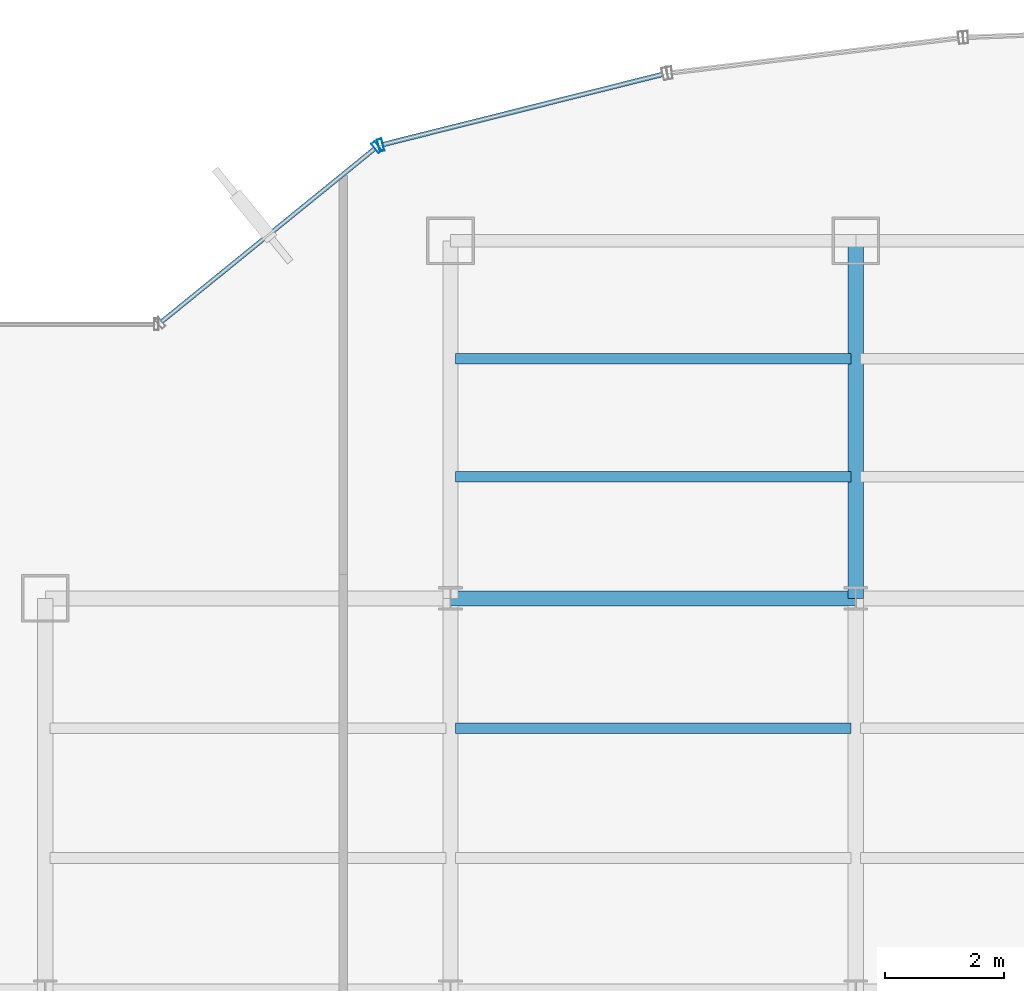
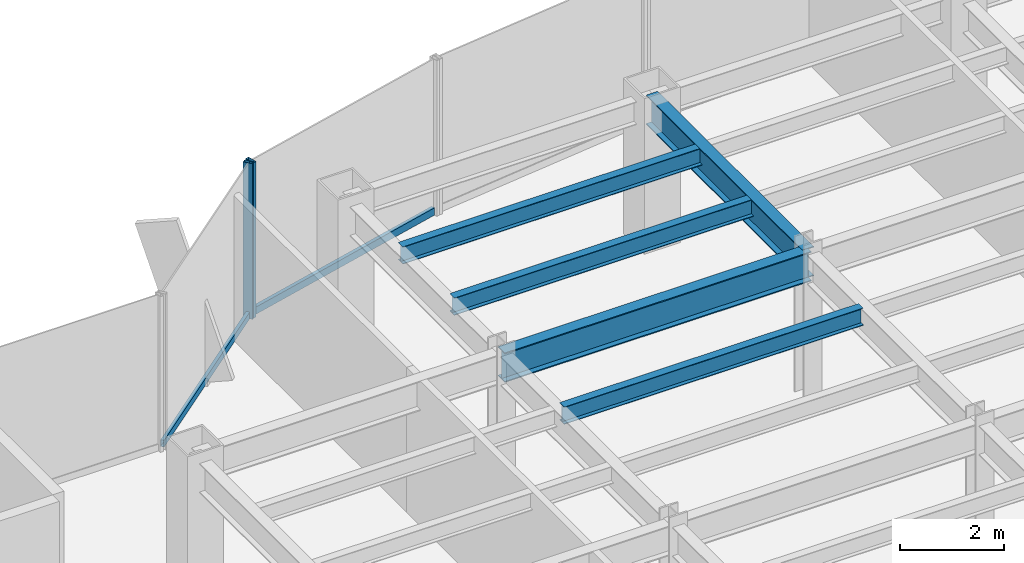
# One storey, part 14 of 26: 5 beams, 4 members, 2 elements without a shape of their own.
"""IFC4 building model written with IfcOpenShell, lengths in metres."""

from ifc_helpers import new_model, si_unit, derived_unit, direction, frame, origin, origin_2d, place, context, subcontext, project, spatial, hollow_rectangle, i_section, extrude, source, transform, mapped, material, material_profile, profile_set, type_object, element, aggregate, save


model = new_model("IFC4")

# Units and contexts
model_context = context("Model", 3, precision=1e-05, world=origin(), true_north=direction((0.0, 1.0)))
body_context = subcontext(model_context, "Body", "Model", "MODEL_VIEW")
ifc_project = project(units=[si_unit("LENGTHUNIT", "METRE"), si_unit("AREAUNIT", "SQUARE_METRE"), si_unit("VOLUMEUNIT", "CUBIC_METRE"), si_unit("PLANEANGLEUNIT", "RADIAN"), si_unit("MASSUNIT", "GRAM", prefix="KILO"), derived_unit("THERMALTRANSMITTANCEUNIT", [(si_unit("POWERUNIT", "WATT"), 1), (si_unit("LENGTHUNIT", "METRE"), -2), (si_unit("THERMODYNAMICTEMPERATUREUNIT", "KELVIN"), -1)])], contexts=[model_context])

# Site, building, storey
site_placement = place(None, origin())
site = spatial("IfcSite", under=ifc_project, at=site_placement, CompositionType="ELEMENT")
building_placement = place(site_placement, origin())
building = spatial("IfcBuilding", under=site, at=building_placement, Name="Skarnbrae Concourse Arena and Tower", CompositionType="ELEMENT")
storey_placement = place(building_placement, frame((0.0, 0.0, 99.60009765625)))
storey = spatial("IfcBuildingStorey", under=building, at=storey_placement, Name="L24", CompositionType="ELEMENT", Elevation=99.60009765625)

# Beams
ifc_material_1 = material(Name="Steel CSA G40.21 350W", Category="steel")
ifc_material_profile_1 = material_profile(ifc_material_1, i_section(OverallWidth=0.256103515625, OverallDepth=0.693115234375, WebThickness=0.014404296875, FlangeThickness=0.023681640625, at=origin_2d()), Name="W690X170")
ifc_profile_set_1 = profile_set([ifc_material_profile_1], Name="Steel CSA G40.21 350W")
beam_type_1 = type_object("IfcBeamType", Name="BM-GIRD-W690X170", PredefinedType="BEAM", material=ifc_profile_set_1)
shared_shape_1 = source(origin(), body_context, "Body", "SweptSolid", [
    extrude(i_section(OverallWidth=0.256103515625, OverallDepth=0.693115234375, WebThickness=0.014404296875, FlangeThickness=0.023681640625, at=origin_2d()), origin(), (0.0, 0.0, 1.0), 6.800048828125),
])
beam_1_placement = place(storey_placement, frame((14.39990234375, 34.39990234375, 3.053466796875), z_axis=(1.0, 0.0, 0.0), x_axis=(0.0, 1.0, 0.0)))
element("IfcBeam", 1, at=beam_1_placement, inside=storey, type_object=beam_type_1, Name="L24 Primary E-W girder Y34.4-2", PredefinedType="BEAM", context=body_context, shape_type="MappedRepresentation", body=[
    mapped(shared_shape_1, transform((0.0, 0.0, 0.0))),
])
shared_shape_2 = source(origin(), body_context, "Body", "SweptSolid", [
    extrude(i_section(OverallWidth=0.256103515625, OverallDepth=0.693115234375, WebThickness=0.014404296875, FlangeThickness=0.023681640625, at=origin_2d()), origin(), (0.0, 0.0, 1.0), 6.0),
])
beam_2_placement = place(storey_placement, frame((21.199951171875, 34.39990234375, 3.053466796875), z_axis=(0.0, 1.0, 0.0), x_axis=(-1.0, 0.0, 0.0)))
element("IfcBeam", 2, at=beam_2_placement, inside=storey, type_object=beam_type_1, Name="L24 Primary N-S girder X21.2-4", PredefinedType="BEAM", context=body_context, shape_type="MappedRepresentation", body=[
    mapped(shared_shape_2, transform((0.0, 0.0, 0.0))),
])
ifc_material_profile_2 = material_profile(ifc_material_1, i_section(OverallWidth=0.177978515625, OverallDepth=0.406982421875, WebThickness=0.0078125, FlangeThickness=0.0126953125, at=origin_2d()), Name="W410X60")
ifc_profile_set_2 = profile_set([ifc_material_profile_2], Name="Steel CSA G40.21 350W")
beam_type_2 = type_object("IfcBeamType", Name="BM-JOIST-W410X60", PredefinedType="JOIST", material=ifc_profile_set_2)
shared_shape_3 = source(origin(), body_context, "Body", "SweptSolid", [
    extrude(i_section(OverallWidth=0.177978515625, OverallDepth=0.406982421875, WebThickness=0.0078125, FlangeThickness=0.0126953125, at=origin_2d()), origin(), (0.0, 0.0, 1.0), 6.64013671875),
])
for number, where, z_axis, x_axis, name in (
    (3, (14.47998046875, 32.221923828125, 3.1962890625), (1.0, 0.0, 0.0), (0.0, 1.0, 0.0), "L24 Secondary floor joist 3.2.2"),
    (4, (14.47998046875, 36.43994140625, 3.1962890625), (1.0, 0.0, 0.0), (0.0, 1.0, 0.0), "L24 Secondary floor joist 4.1.1"),
    (5, (14.47998046875, 38.419921875, 3.1962890625), (1.0, 0.0, 0.0), (0.0, 1.0, 0.0), "L24 Secondary floor joist 4.2.1"),
):
    element("IfcBeam", number, at=place(storey_placement, frame(where, z_axis=z_axis, x_axis=x_axis)), inside=storey, type_object=beam_type_2, Name=name, PredefinedType="JOIST", context=body_context, shape_type="MappedRepresentation", body=[
        mapped(shared_shape_3, transform((0.0, 0.0, 0.0))),
    ])

# Curtain wall, member
ifc_material_2 = material(Name="Bronze anodised aluminium 6063-T6", Category="aluminium")
curtain_wall_type_1 = type_object("IfcCurtainWallType", Name="CW-SYS-03-PORTAL", PredefinedType="USERDEFINED", material=ifc_material_2)
curtain_wall_1_placement = place(storey_placement, origin())
curtain_wall_1 = element("IfcCurtainWall", 6, at=curtain_wall_1_placement, inside=storey, type_object=curtain_wall_type_1, Name="L24 Unitised curtain wall CW-L24-E14", ObjectType="UNITISED CURTAIN WALL", PredefinedType="USERDEFINED")
ifc_material_profile_3 = material_profile(ifc_material_2, hollow_rectangle(XDim=0.080078125, YDim=0.2099609375, WallThickness=0.00439453125, at=origin_2d()), Name="ALU-MULL-80X210")
ifc_profile_set_3 = profile_set([ifc_material_profile_3], Name="Bronze anodised aluminium 6063-T6")
member_type_1 = type_object("IfcMemberType", Name="CWM-CW-03", PredefinedType="MULLION", material=ifc_profile_set_3)
shared_shape_4 = source(origin(), body_context, "Body", "SweptSolid", [
    extrude(hollow_rectangle(XDim=0.080078125, YDim=0.2099609375, WallThickness=0.00439453125, at=origin_2d()), origin(), (0.0, 0.0, 1.0), 3.64990234375),
])
member_1_placement = place(storey_placement, frame((13.227783203125, 42.005615234375, 0.0), z_axis=(0.0, 0.0, 1.0), x_axis=(-0.969903046166, -0.243491439351, 0.0)))
member_1 = element("IfcMember", 7, at=member_1_placement, type_object=member_type_1, Name="CW-L24-E14 Mullion 2", PredefinedType="MULLION", context=body_context, shape_type="MappedRepresentation", body=[
    mapped(shared_shape_4, transform((0.0, 0.0, 0.0))),
])

# Curtain wall, members
curtain_wall_type_2 = type_object("IfcCurtainWallType", Name="CW-SYS-04-MIDZONE", PredefinedType="USERDEFINED", material=ifc_material_2)
curtain_wall_2_placement = place(storey_placement, origin())
curtain_wall_2 = element("IfcCurtainWall", 8, at=curtain_wall_2_placement, inside=storey, type_object=curtain_wall_type_2, Name="L24 Unitised curtain wall CW-L24-E15", ObjectType="UNITISED CURTAIN WALL", PredefinedType="USERDEFINED")
ifc_material_profile_4 = material_profile(ifc_material_2, hollow_rectangle(XDim=0.074951171875, YDim=0.159912109375, WallThickness=0.00439453125, at=origin_2d()), Name="ALU-TRAN-75X160")
ifc_profile_set_4 = profile_set([ifc_material_profile_4], Name="Bronze anodised aluminium 6063-T6")
member_type_2 = type_object("IfcMemberType", Name="CWT-CW-04", PredefinedType="USERDEFINED", material=ifc_profile_set_4)
shared_shape_5 = source(origin(), body_context, "Body", "SweptSolid", [
    extrude(hollow_rectangle(XDim=0.074951171875, YDim=0.159912109375, WallThickness=0.00439453125, at=origin_2d()), origin(), (0.0, 0.0, 1.0), 4.602294921875),
])
member_2_placement = place(storey_placement, frame((13.130615234375, 41.94873046875, 0.079833984375), z_axis=(-0.776251906445, -0.630422856297, 0.0), x_axis=(0.630422856297, -0.776251906445, 0.0)))
member_2 = element("IfcMember", 9, at=member_2_placement, type_object=member_type_2, Name="CW-L24-E15 Transom 1", ObjectType="TRANSOM", PredefinedType="USERDEFINED", context=body_context, shape_type="MappedRepresentation", body=[
    mapped(shared_shape_5, transform((0.0, 0.0, 0.0))),
])
ifc_material_profile_5 = material_profile(ifc_material_2, hollow_rectangle(XDim=0.074951171875, YDim=0.195068359375, WallThickness=0.00439453125, at=origin_2d()), Name="ALU-MULL-75X195")
ifc_profile_set_5 = profile_set([ifc_material_profile_5], Name="Bronze anodised aluminium 6063-T6")
member_type_3 = type_object("IfcMemberType", Name="CWM-CW-04", PredefinedType="MULLION", material=ifc_profile_set_5)
shared_shape_6 = source(origin(), body_context, "Body", "SweptSolid", [
    extrude(hollow_rectangle(XDim=0.074951171875, YDim=0.195068359375, WallThickness=0.00439453125, at=origin_2d()), origin(), (0.0, 0.0, 1.0), 3.64990234375),
])
member_3_placement = place(storey_placement, frame((13.159912109375, 41.972412109375, 0.0), z_axis=(0.0, 0.0, 1.0), x_axis=(-0.776241200471, -0.630436038542, 0.0)))
member_3 = element("IfcMember", 10, at=member_3_placement, type_object=member_type_3, Name="CW-L24-E15 Mullion 1", PredefinedType="MULLION", context=body_context, shape_type="MappedRepresentation", body=[
    mapped(shared_shape_6, transform((0.0, 0.0, 0.0))),
])
aggregate(curtain_wall_2, [member_3, member_2])

# Member
ifc_material_profile_6 = material_profile(ifc_material_2, hollow_rectangle(XDim=0.080078125, YDim=0.169921875, WallThickness=0.00439453125, at=origin_2d()), Name="ALU-TRAN-80X170")
ifc_profile_set_6 = profile_set([ifc_material_profile_6], Name="Bronze anodised aluminium 6063-T6")
member_type_4 = type_object("IfcMemberType", Name="CWT-CW-03", PredefinedType="USERDEFINED", material=ifc_profile_set_6)
shared_shape_7 = source(origin(), body_context, "Body", "SweptSolid", [
    extrude(hollow_rectangle(XDim=0.080078125, YDim=0.169921875, WallThickness=0.00439453125, at=origin_2d()), origin(), (0.0, 0.0, 1.0), 4.837158203125),
])
member_4_placement = place(storey_placement, frame((17.958251953125, 43.193359375, 0.0849609375), z_axis=(-0.969895583622, -0.243521163084, 0.0), x_axis=(0.243521163084, -0.969895583622, 0.0)))
member_4 = element("IfcMember", 11, at=member_4_placement, type_object=member_type_4, Name="CW-L24-E14 Transom 1", ObjectType="TRANSOM", PredefinedType="USERDEFINED", context=body_context, shape_type="MappedRepresentation", body=[
    mapped(shared_shape_7, transform((0.0, 0.0, 0.0))),
])

aggregate(curtain_wall_1, [member_1, member_4])

save(model, "model.ifc")
